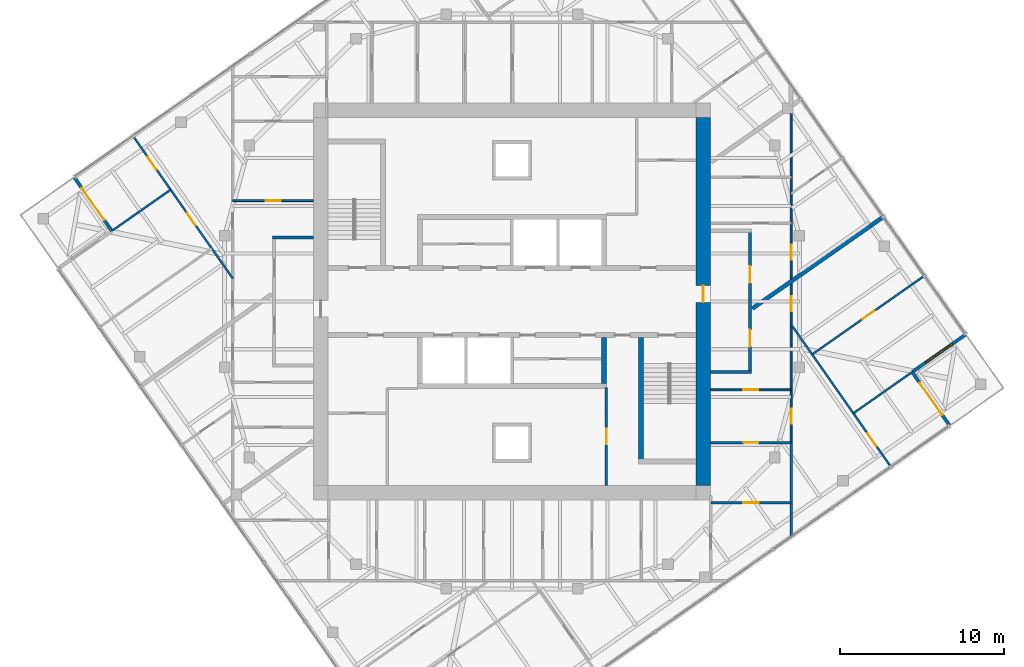
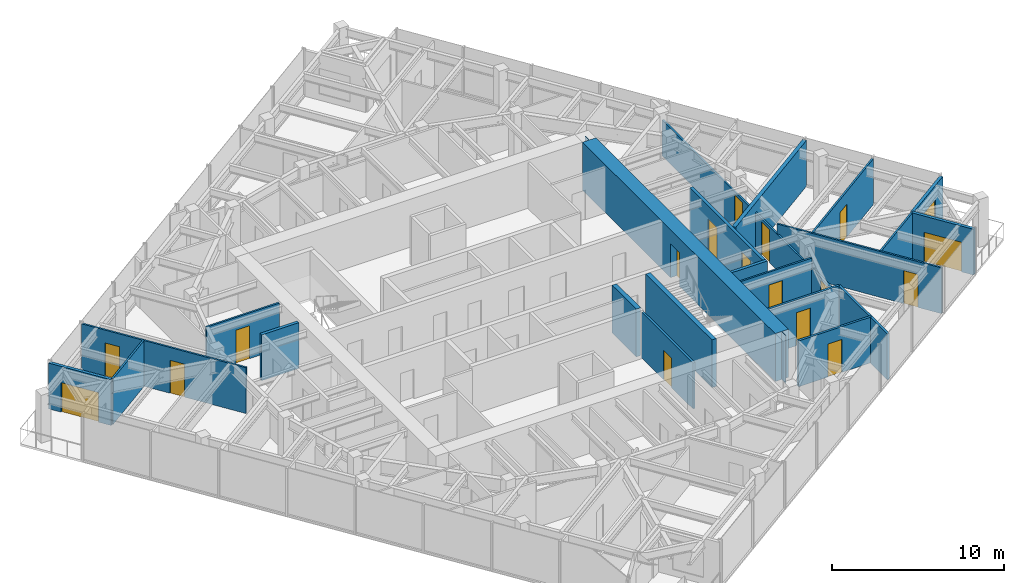
# One storey, part 9 of 12: 22 walls, 17 doors, 1 window, 18 openings.
"""IFC4 building model written with IfcOpenShell, lengths in metres."""

from ifc_helpers import new_model, si_unit, direction, frame, frame_2d, origin, place, context, subcontext, project, spatial, polyline, rectangle, outline, extrude, material, layer, layer_set, type_object, element, fill, save


model = new_model("IFC4")

# Units and contexts
model_context = context("Model", 3, precision=1e-05, world=origin(), true_north=direction((0.0, 1.0)))
body_context = subcontext(model_context, "Body", "Model", "MODEL_VIEW")
ifc_project = project(units=[si_unit("LENGTHUNIT", "METRE"), si_unit("AREAUNIT", "SQUARE_METRE"), si_unit("VOLUMEUNIT", "CUBIC_METRE"), si_unit("PLANEANGLEUNIT", "RADIAN"), si_unit("MASSUNIT", "GRAM", prefix="KILO")], contexts=[model_context])

# Site, building, storey
site_placement = place(None, origin())
site = spatial("IfcSite", under=ifc_project, at=site_placement, CompositionType="ELEMENT")
building_placement = place(site_placement, origin())
building = spatial("IfcBuilding", under=site, at=building_placement, Name="Torsade Residences", CompositionType="ELEMENT")
storey_placement = place(building_placement, frame((0.0, 0.0, 247.199951171875)))
storey = spatial("IfcBuildingStorey", under=building, at=storey_placement, Name="L68", CompositionType="ELEMENT", Elevation=247.199951171875)

# Walls
ifc_material_1 = material(Name="Concrete 80 MPa", Category="concrete")
ifc_layer_1 = layer(ifc_material_1, 0.300048828125)
ifc_layer_set_1 = layer_set([ifc_layer_1], Name="Concrete 80 MPa")
wall_type_1 = type_object("IfcWallType", Name="CORE INTERNAL WALL 300", PredefinedType="SHEAR", material=ifc_layer_set_1)
wall_1_placement = place(storey_placement, frame((45.60009765625, 27.800048828125, 0.0), z_axis=(0.0, 0.0, 1.0), x_axis=(0.0, -1.0, 0.0)))
element("IfcWall", 1, at=wall_1_placement, inside=storey, type_object=wall_type_1, Name="Core wall DS0 L68", PredefinedType="SHEAR", context=body_context, shape_type="SweptSolid", body=[
    extrude(rectangle(XDim=2.800048828125, YDim=0.300048828125, at=frame_2d((1.39990234375, 0.0))), origin(), (0.0, 0.0, 1.0), 3.400146484375),
])
wall_2_placement = place(storey_placement, frame((47.85009765625, 27.800048828125, 0.0), z_axis=(0.0, 0.0, 1.0), x_axis=(0.0, -1.0, 0.0)))
element("IfcWall", 2, at=wall_2_placement, inside=storey, type_object=wall_type_1, Name="Core wall ST2W L68", PredefinedType="SHEAR", context=body_context, shape_type="SweptSolid", body=[
    extrude(rectangle(XDim=7.699951171875, YDim=0.300048828125, at=frame_2d((3.85009765625, 0.0))), origin(), (0.0, 0.0, 1.0), 3.400146484375),
])

# Wall, opening, door
ifc_material_2 = material(Name="Concrete 80 MPa", Category="concrete")
ifc_layer_2 = layer(ifc_material_2, 0.89990234375)
ifc_layer_set_2 = layer_set([ifc_layer_2], Name="Concrete 80 MPa")
wall_type_2 = type_object("IfcWallType", Name="CORE WALL 900", PredefinedType="SHEAR", material=ifc_layer_set_2)
wall_3_placement = place(storey_placement, frame((51.64990234375, 18.800048828125, 0.0), z_axis=(0.0, 0.0, 1.0), x_axis=(0.0, 1.0, 0.0)))
wall_3 = element("IfcWall", 3, at=wall_3_placement, inside=storey, type_object=wall_type_2, Name="Core wall E L68", PredefinedType="SHEAR", context=body_context, shape_type="SweptSolid", body=[
    extrude(outline(polyline([(0.0, -0.449951171875), (22.39990234375, -0.449951171875), (22.39990234375, -0.02490234375), (22.849853515625, -0.02490234375), (22.849853515625, 0.02490234375), (22.39990234375, 0.02490234375), (22.39990234375, 0.449951171875), (0.0, 0.449951171875), (0.0, 0.02490234375), (-0.449951171875, 0.02490234375), (-0.449951171875, -0.02490234375), (0.0, -0.02490234375), (0.0, -0.449951171875)])), origin(), (0.0, 0.0, 1.0), 3.400146484375),
])
opening_1_placement = place(wall_3_placement, frame((11.139892578125, 0.0, 0.0)))
opening_1 = element("IfcOpeningElement", 4, at=opening_1_placement, cuts=wall_3, Name="Opening D04", PredefinedType="OPENING", context=body_context, shape_type="SweptSolid", body=[
    extrude(rectangle(XDim=1.02001953125, YDim=2.39990234375, at=frame_2d((0.510009765625, 1.199951171875))), frame((0.0, 0.4599609375, 0.0), z_axis=(0.0, -1.0, 0.0), x_axis=(1.0, 0.0, 0.0)), (0.0, 0.0, 1.0), 0.919921875),
])
ifc_material_3 = material(Name="Steel-framed fire door", Category="steel")
door_type_1 = type_object("IfcDoorType", Name="LOBBY SMOKE DOOR 1020x2400", OperationType="NOTDEFINED", PredefinedType="DOOR", material=ifc_material_3)
door_1_placement = place(opening_1_placement, origin())
door_1 = element("IfcDoor", 5, at=door_1_placement, inside=storey, type_object=door_type_1, Name="Lift lobby door E L68", OperationType="SINGLE_SWING_LEFT", OverallHeight=2.39990234375, OverallWidth=1.02001953125, PredefinedType="DOOR", context=body_context, shape_type="SweptSolid", body=[
    extrude(rectangle(XDim=1.02001953125, YDim=2.39990234375, at=frame_2d((0.510009765625, 1.199951171875))), frame((0.0, 0.02490234375, 0.0), z_axis=(0.0, -1.0, 0.0), x_axis=(1.0, 0.0, 0.0)), (0.0, 0.0, 1.0), 0.050048828125),
])
fill(opening_1, door_1)

# Wall, openings, doors
ifc_material_4 = material(Name="Plasterboard on steel stud", Category="steel")
ifc_layer_3 = layer(ifc_material_4, 0.199951171875)
ifc_layer_set_3 = layer_set([ifc_layer_3], Name="Plasterboard on steel stud")
wall_type_3 = type_object("IfcWallType", Name="CORRIDOR WALL 200", PredefinedType="PARTITIONING", material=ifc_layer_set_3)
wall_4_placement = place(storey_placement, frame((54.5, 25.699951171875, 0.0), z_axis=(0.0, 0.0, 1.0), x_axis=(0.0, 1.0, 0.0)))
wall_4 = element("IfcWall", 6, at=wall_4_placement, inside=storey, type_object=wall_type_3, Name="Corridor wall L68", PredefinedType="PARTITIONING", context=body_context, shape_type="SweptSolid", body=[
    extrude(rectangle(XDim=8.60009765625, YDim=0.199951171875, at=frame_2d((4.300048828125, 0.0))), origin(), (0.0, 0.0, 1.0), 3.25),
])
opening_2_placement = place(wall_4_placement, frame((5.43798828125, 0.0, 0.0)))
opening_2 = element("IfcOpeningElement", 7, at=opening_2_placement, cuts=wall_4, Name="Opening D01", PredefinedType="OPENING", context=body_context, shape_type="SweptSolid", body=[
    extrude(rectangle(XDim=1.02001953125, YDim=2.340087890625, at=frame_2d((0.510009765625, 1.169921875))), frame((0.0, 0.10986328125, 0.0), z_axis=(0.0, -1.0, 0.0), x_axis=(1.0, 0.0, 0.0)), (0.0, 0.0, 1.0), 0.219970703125),
])
opening_3_placement = place(wall_4_placement, frame((1.543212890625, 0.0, 0.0)))
opening_3 = element("IfcOpeningElement", 8, at=opening_3_placement, cuts=wall_4, Name="Opening D01", PredefinedType="OPENING", context=body_context, shape_type="SweptSolid", body=[
    extrude(rectangle(XDim=1.02001953125, YDim=2.340087890625, at=frame_2d((0.510009765625, 1.169921875))), frame((0.0, 0.10986328125, 0.0), z_axis=(0.0, -1.0, 0.0), x_axis=(1.0, 0.0, 0.0)), (0.0, 0.0, 1.0), 0.219970703125),
])
ifc_material_5 = material(Name="Solid-core timber fire door", Category="wood")
door_type_2 = type_object("IfcDoorType", Name="APARTMENT ENTRY DOOR 1020x2340", OperationType="NOTDEFINED", PredefinedType="DOOR", material=ifc_material_5)
door_2_placement = place(opening_2_placement, origin())
door_2 = element("IfcDoor", 9, at=door_2_placement, inside=storey, type_object=door_type_2, Name="Door Residential corridor to Kitchen and dining", OperationType="SINGLE_SWING_RIGHT", OverallHeight=2.340087890625, OverallWidth=1.02001953125, PredefinedType="DOOR", context=body_context, shape_type="SweptSolid", body=[
    extrude(rectangle(XDim=1.02001953125, YDim=2.340087890625, at=frame_2d((0.510009765625, 1.169921875))), frame((0.0, 0.02490234375, 0.0), z_axis=(0.0, -1.0, 0.0), x_axis=(1.0, 0.0, 0.0)), (0.0, 0.0, 1.0), 0.050048828125),
])
fill(opening_2, door_2)
door_3_placement = place(opening_3_placement, origin())
door_3 = element("IfcDoor", 10, at=door_3_placement, inside=storey, type_object=door_type_2, Name="Door Residential corridor to Kitchen and dining", OperationType="SINGLE_SWING_LEFT", OverallHeight=2.340087890625, OverallWidth=1.02001953125, PredefinedType="DOOR", context=body_context, shape_type="SweptSolid", body=[
    extrude(rectangle(XDim=1.02001953125, YDim=2.340087890625, at=frame_2d((0.510009765625, 1.169921875))), frame((0.0, 0.02490234375, 0.0), z_axis=(0.0, -1.0, 0.0), x_axis=(1.0, 0.0, 0.0)), (0.0, 0.0, 1.0), 0.050048828125),
])
fill(opening_3, door_3)

# Walls
for number, where, z_axis, x_axis, name in (
    (11, (52.10009765625, 25.699951171875, 0.0), (0.0, 0.0, 1.0), (1.0, 0.0, 0.0), "Corridor wall L68"),
    (12, (27.89990234375, 33.89990234375, 0.0), (0.0, 0.0, 1.0), (-1.0, 0.0, 0.0), "Corridor wall L68"),
):
    element("IfcWall", number, at=place(storey_placement, frame(where, z_axis=z_axis, x_axis=x_axis)), inside=storey, type_object=wall_type_3, Name=name, PredefinedType="PARTITIONING", context=body_context, shape_type="SweptSolid", body=[
        extrude(rectangle(XDim=2.5, YDim=0.199951171875, at=frame_2d((1.25, 0.0))), origin(), (0.0, 0.0, 1.0), 3.25),
    ])

# Wall, opening, door
ifc_material_6 = material(Name="Plasterboard on steel stud", Category="steel")
ifc_layer_4 = layer(ifc_material_6, 0.1201171875)
ifc_layer_set_4 = layer_set([ifc_layer_4], Name="Plasterboard on steel stud")
wall_type_4 = type_object("IfcWallType", Name="PARTITION 120", PredefinedType="PARTITIONING", material=ifc_layer_set_4)
wall_5_placement = place(storey_placement, frame((57.0, 24.617919921875, 0.0), z_axis=(0.0, 0.0, 1.0), x_axis=(-1.0, 0.0, 0.0)))
wall_5 = element("IfcWall", 13, at=wall_5_placement, inside=storey, type_object=wall_type_4, Name="Partition L68", PredefinedType="PARTITIONING", context=body_context, shape_type="SweptSolid", body=[
    extrude(rectangle(XDim=4.89990234375, YDim=0.1201171875, at=frame_2d((2.449951171875, 0.0))), origin(), (0.0, 0.0, 1.0), 3.25),
])
opening_4_placement = place(wall_5_placement, frame((1.989990234375, 0.0, 0.0)))
opening_4 = element("IfcOpeningElement", 14, at=opening_4_placement, cuts=wall_5, Name="Opening D02", PredefinedType="OPENING", context=body_context, shape_type="SweptSolid", body=[
    extrude(rectangle(XDim=0.919921875, YDim=2.340087890625, at=frame_2d((0.4599609375, 1.169921875))), frame((0.0, 0.070068359375, 0.0), z_axis=(0.0, -1.0, 0.0), x_axis=(1.0, 0.0, 0.0)), (0.0, 0.0, 1.0), 0.14013671875),
])
ifc_material_7 = material(Name="Hollow-core timber door", Category="wood")
door_type_3 = type_object("IfcDoorType", Name="INTERNAL DOOR 920x2340", OperationType="NOTDEFINED", PredefinedType="DOOR", material=ifc_material_7)
door_4_placement = place(opening_4_placement, origin())
door_4 = element("IfcDoor", 15, at=door_4_placement, inside=storey, type_object=door_type_3, Name="Door Kitchen and dining to Walk-in robe", OperationType="SINGLE_SWING_LEFT", OverallHeight=2.340087890625, OverallWidth=0.919921875, PredefinedType="DOOR", context=body_context, shape_type="SweptSolid", body=[
    extrude(rectangle(XDim=0.919921875, YDim=2.340087890625, at=frame_2d((0.4599609375, 1.169921875))), frame((0.0, 0.02490234375, 0.0), z_axis=(0.0, -1.0, 0.0), x_axis=(1.0, 0.0, 0.0)), (0.0, 0.0, 1.0), 0.050048828125),
])
fill(opening_4, door_4)

# Wall, openings, doors
wall_6_placement = place(storey_placement, frame((57.0, 41.903564453125, 0.0), z_axis=(0.0, 0.0, 1.0), x_axis=(0.0, -1.0, 0.0)))
wall_6 = element("IfcWall", 16, at=wall_6_placement, inside=storey, type_object=wall_type_4, Name="Partition L68", PredefinedType="PARTITIONING", context=body_context, shape_type="SweptSolid", body=[
    extrude(rectangle(XDim=20.497802734375, YDim=0.1201171875, at=frame_2d((10.2490234375, 0.0))), origin(), (0.0, 0.0, 1.0), 2.550048828125),
])
opening_5_placement = place(wall_6_placement, frame((8.449462890625, 0.0, 0.0)))
opening_5 = element("IfcOpeningElement", 17, at=opening_5_placement, cuts=wall_6, Name="Opening D02", PredefinedType="OPENING", context=body_context, shape_type="SweptSolid", body=[
    extrude(rectangle(XDim=0.919921875, YDim=2.340087890625, at=frame_2d((0.4599609375, 1.169921875))), frame((0.0, 0.070068359375, 0.0), z_axis=(0.0, -1.0, 0.0), x_axis=(1.0, 0.0, 0.0)), (0.0, 0.0, 1.0), 0.14013671875),
])
opening_6_placement = place(wall_6_placement, frame((11.573974609375, 0.0, 0.0)))
opening_6 = element("IfcOpeningElement", 18, at=opening_6_placement, cuts=wall_6, Name="Opening D02", PredefinedType="OPENING", context=body_context, shape_type="SweptSolid", body=[
    extrude(rectangle(XDim=0.919921875, YDim=2.340087890625, at=frame_2d((0.4599609375, 1.169921875))), frame((0.0, 0.070068359375, 0.0), z_axis=(0.0, -1.0, 0.0), x_axis=(1.0, 0.0, 0.0)), (0.0, 0.0, 1.0), 0.14013671875),
])
opening_7_placement = place(wall_6_placement, frame((18.431640625, 0.0, 0.0)))
opening_7 = element("IfcOpeningElement", 19, at=opening_7_placement, cuts=wall_6, Name="Opening D02", PredefinedType="OPENING", context=body_context, shape_type="SweptSolid", body=[
    extrude(rectangle(XDim=0.919921875, YDim=2.340087890625, at=frame_2d((0.4599609375, 1.169921875))), frame((0.0, 0.070068359375, 0.0), z_axis=(0.0, -1.0, 0.0), x_axis=(1.0, 0.0, 0.0)), (0.0, 0.0, 1.0), 0.14013671875),
])
door_5_placement = place(opening_5_placement, origin())
door_5 = element("IfcDoor", 20, at=door_5_placement, inside=storey, type_object=door_type_3, Name="Door Kitchen and dining to Living room", OperationType="SINGLE_SWING_LEFT", OverallHeight=2.340087890625, OverallWidth=0.919921875, PredefinedType="DOOR", context=body_context, shape_type="SweptSolid", body=[
    extrude(rectangle(XDim=0.919921875, YDim=2.340087890625, at=frame_2d((0.4599609375, 1.169921875))), frame((0.0, 0.02490234375, 0.0), z_axis=(0.0, -1.0, 0.0), x_axis=(1.0, 0.0, 0.0)), (0.0, 0.0, 1.0), 0.050048828125),
])
fill(opening_5, door_5)
door_6_placement = place(opening_6_placement, origin())
door_6 = element("IfcDoor", 21, at=door_6_placement, inside=storey, type_object=door_type_3, Name="Door Kitchen and dining to Bedroom 4", OperationType="SINGLE_SWING_LEFT", OverallHeight=2.340087890625, OverallWidth=0.919921875, PredefinedType="DOOR", context=body_context, shape_type="SweptSolid", body=[
    extrude(rectangle(XDim=0.919921875, YDim=2.340087890625, at=frame_2d((0.4599609375, 1.169921875))), frame((0.0, 0.02490234375, 0.0), z_axis=(0.0, -1.0, 0.0), x_axis=(1.0, 0.0, 0.0)), (0.0, 0.0, 1.0), 0.050048828125),
])
fill(opening_6, door_6)
door_7_placement = place(opening_7_placement, origin())
door_7 = element("IfcDoor", 22, at=door_7_placement, inside=storey, type_object=door_type_3, Name="Door Walk-in robe to Bedroom 1", OperationType="SINGLE_SWING_LEFT", OverallHeight=2.340087890625, OverallWidth=0.919921875, PredefinedType="DOOR", context=body_context, shape_type="SweptSolid", body=[
    extrude(rectangle(XDim=0.919921875, YDim=2.340087890625, at=frame_2d((0.4599609375, 1.169921875))), frame((0.0, 0.02490234375, 0.0), z_axis=(0.0, -1.0, 0.0), x_axis=(1.0, 0.0, 0.0)), (0.0, 0.0, 1.0), 0.050048828125),
])
fill(opening_7, door_7)

# Wall, opening, door
wall_7_placement = place(storey_placement, frame((57.0, 28.604248046875, 0.0), z_axis=(0.0, 0.0, 1.0), x_axis=(0.573575545802, -0.819152667857, 0.0)))
wall_7 = element("IfcWall", 23, at=wall_7_placement, inside=storey, type_object=wall_type_4, Name="Partition L68", PredefinedType="PARTITIONING", context=body_context, shape_type="SweptSolid", body=[
    extrude(rectangle(XDim=10.56591796875, YDim=0.1201171875, at=frame_2d((5.282958984375, 0.0))), origin(), (0.0, 0.0, 1.0), 3.25),
])
opening_8_placement = place(wall_7_placement, frame((8.120849609375, 0.0, 0.0)))
opening_8 = element("IfcOpeningElement", 24, at=opening_8_placement, cuts=wall_7, Name="Opening D02", PredefinedType="OPENING", context=body_context, shape_type="SweptSolid", body=[
    extrude(rectangle(XDim=0.919921875, YDim=2.340087890625, at=frame_2d((0.4599609375, 1.169921875))), frame((0.0, 0.070068359375, 0.0), z_axis=(0.0, -1.0, 0.0), x_axis=(1.0, 0.0, 0.0)), (0.0, 0.0, 1.0), 0.14013671875),
])
door_8_placement = place(opening_8_placement, origin())
door_8 = element("IfcDoor", 25, at=door_8_placement, inside=storey, type_object=door_type_3, Name="Door Bedroom 1 to Media room", OperationType="SINGLE_SWING_LEFT", OverallHeight=2.340087890625, OverallWidth=0.919921875, PredefinedType="DOOR", context=body_context, shape_type="SweptSolid", body=[
    extrude(rectangle(XDim=0.919921875, YDim=2.340087890625, at=frame_2d((0.4599609375, 1.169921875))), frame((0.0, 0.02490234375, 0.0), z_axis=(0.0, -1.0, 0.0), x_axis=(1.0, 0.0, 0.0)), (0.0, 0.0, 1.0), 0.050048828125),
])
fill(opening_8, door_8)

wall_8_placement = place(storey_placement, frame((58.279541015625, 26.77685546875, 0.0), z_axis=(0.0, 0.0, 1.0), x_axis=(0.819152099525, 0.573576357466, 0.0)))
wall_8 = element("IfcWall", 26, at=wall_8_placement, inside=storey, type_object=wall_type_4, Name="Partition L68", PredefinedType="PARTITIONING", context=body_context, shape_type="SweptSolid", body=[
    extrude(rectangle(XDim=8.3349609375, YDim=0.1201171875, at=frame_2d((4.16748046875, 0.0))), origin(), (0.0, 0.0, 1.0), 3.25),
])
opening_9_placement = place(wall_8_placement, frame((3.7275390625, 0.0, 0.0)))
opening_9 = element("IfcOpeningElement", 27, at=opening_9_placement, cuts=wall_8, Name="Opening D02", PredefinedType="OPENING", context=body_context, shape_type="SweptSolid", body=[
    extrude(rectangle(XDim=0.919921875, YDim=2.340087890625, at=frame_2d((0.4599609375, 1.169921875))), frame((0.0, 0.070068359375, 0.0), z_axis=(0.0, -1.0, 0.0), x_axis=(1.0, 0.0, 0.0)), (0.0, 0.0, 1.0), 0.14013671875),
])
door_9_placement = place(opening_9_placement, origin())
door_9 = element("IfcDoor", 28, at=door_9_placement, inside=storey, type_object=door_type_3, Name="Door Bedroom 4 to Bedroom 3", OperationType="SINGLE_SWING_LEFT", OverallHeight=2.340087890625, OverallWidth=0.919921875, PredefinedType="DOOR", context=body_context, shape_type="SweptSolid", body=[
    extrude(rectangle(XDim=0.919921875, YDim=2.340087890625, at=frame_2d((0.4599609375, 1.169921875))), frame((0.0, 0.02490234375, 0.0), z_axis=(0.0, -1.0, 0.0), x_axis=(1.0, 0.0, 0.0)), (0.0, 0.0, 1.0), 0.050048828125),
])
fill(opening_9, door_9)

# Wall
wall_9_placement = place(storey_placement, frame((64.340087890625, 25.679443359375, 0.0), z_axis=(0.0, 0.0, 1.0), x_axis=(-0.819165768115, -0.573556836197, 0.0)))
element("IfcWall", 29, at=wall_9_placement, inside=storey, type_object=wall_type_4, Name="Partition L68", PredefinedType="PARTITIONING", context=body_context, shape_type="SweptSolid", body=[
    extrude(rectangle(XDim=4.3349609375, YDim=0.1201171875, at=frame_2d((2.16748046875, 0.0))), origin(), (0.0, 0.0, 1.0), 3.25),
])

# Wall, opening, door
wall_10_placement = place(storey_placement, frame((23.0, 36.14453125, 0.0), z_axis=(0.0, 0.0, 1.0), x_axis=(1.0, 0.0, 0.0)))
wall_10 = element("IfcWall", 30, at=wall_10_placement, inside=storey, type_object=wall_type_4, Name="Partition L68", PredefinedType="PARTITIONING", context=body_context, shape_type="SweptSolid", body=[
    extrude(rectangle(XDim=4.89990234375, YDim=0.1201171875, at=frame_2d((2.449951171875, 0.0))), origin(), (0.0, 0.0, 1.0), 3.25),
])
opening_10_placement = place(wall_10_placement, frame((1.989990234375, 0.0, 0.0)))
opening_10 = element("IfcOpeningElement", 31, at=opening_10_placement, cuts=wall_10, Name="Opening D02", PredefinedType="OPENING", context=body_context, shape_type="SweptSolid", body=[
    extrude(rectangle(XDim=0.919921875, YDim=2.340087890625, at=frame_2d((0.4599609375, 1.169921875))), frame((0.0, 0.070068359375, 0.0), z_axis=(0.0, -1.0, 0.0), x_axis=(1.0, 0.0, 0.0)), (0.0, 0.0, 1.0), 0.14013671875),
])
door_10_placement = place(opening_10_placement, origin())
door_10 = element("IfcDoor", 32, at=door_10_placement, inside=storey, type_object=door_type_3, Name="Door Kitchen and dining to Scullery", OperationType="SINGLE_SWING_LEFT", OverallHeight=2.340087890625, OverallWidth=0.919921875, PredefinedType="DOOR", context=body_context, shape_type="SweptSolid", body=[
    extrude(rectangle(XDim=0.919921875, YDim=2.340087890625, at=frame_2d((0.4599609375, 1.169921875))), frame((0.0, 0.02490234375, 0.0), z_axis=(0.0, -1.0, 0.0), x_axis=(1.0, 0.0, 0.0)), (0.0, 0.0, 1.0), 0.050048828125),
])
fill(opening_10, door_10)

# Wall, openings, doors
wall_11_placement = place(storey_placement, frame((23.0, 31.395751953125, 0.0), z_axis=(0.0, 0.0, 1.0), x_axis=(-0.573575545802, 0.819152667857, 0.0)))
wall_11 = element("IfcWall", 33, at=wall_11_placement, inside=storey, type_object=wall_type_4, Name="Partition L68", PredefinedType="PARTITIONING", context=body_context, shape_type="SweptSolid", body=[
    extrude(rectangle(XDim=10.56591796875, YDim=0.1201171875, at=frame_2d((5.282958984375, 0.0))), origin(), (0.0, 0.0, 1.0), 3.25),
])
opening_11_placement = place(wall_11_placement, frame((3.958251953125, 0.0, 0.0)))
opening_11 = element("IfcOpeningElement", 34, at=opening_11_placement, cuts=wall_11, Name="Opening D02", PredefinedType="OPENING", context=body_context, shape_type="SweptSolid", body=[
    extrude(rectangle(XDim=0.919921875, YDim=2.340087890625, at=frame_2d((0.4599609375, 1.169921875))), frame((0.0, 0.070068359375, 0.0), z_axis=(0.0, -1.0, 0.0), x_axis=(1.0, 0.0, 0.0)), (0.0, 0.0, 1.0), 0.14013671875),
])
opening_12_placement = place(wall_11_placement, frame((8.120849609375, 0.0, 0.0)))
opening_12 = element("IfcOpeningElement", 35, at=opening_12_placement, cuts=wall_11, Name="Opening D02", PredefinedType="OPENING", context=body_context, shape_type="SweptSolid", body=[
    extrude(rectangle(XDim=0.919921875, YDim=2.340087890625, at=frame_2d((0.4599609375, 1.169921875))), frame((0.0, 0.070068359375, 0.0), z_axis=(0.0, -1.0, 0.0), x_axis=(1.0, 0.0, 0.0)), (0.0, 0.0, 1.0), 0.14013671875),
])
door_11_placement = place(opening_11_placement, origin())
door_11 = element("IfcDoor", 36, at=door_11_placement, inside=storey, type_object=door_type_3, Name="Door Bedroom 1 to Bedroom 2", OperationType="SINGLE_SWING_RIGHT", OverallHeight=2.340087890625, OverallWidth=0.919921875, PredefinedType="DOOR", context=body_context, shape_type="SweptSolid", body=[
    extrude(rectangle(XDim=0.919921875, YDim=2.340087890625, at=frame_2d((0.4599609375, 1.169921875))), frame((0.0, 0.02490234375, 0.0), z_axis=(0.0, -1.0, 0.0), x_axis=(1.0, 0.0, 0.0)), (0.0, 0.0, 1.0), 0.050048828125),
])
fill(opening_11, door_11)
door_12_placement = place(opening_12_placement, origin())
door_12 = element("IfcDoor", 37, at=door_12_placement, inside=storey, type_object=door_type_3, Name="Door Bedroom 1 to Media room", OperationType="SINGLE_SWING_LEFT", OverallHeight=2.340087890625, OverallWidth=0.919921875, PredefinedType="DOOR", context=body_context, shape_type="SweptSolid", body=[
    extrude(rectangle(XDim=0.919921875, YDim=2.340087890625, at=frame_2d((0.4599609375, 1.169921875))), frame((0.0, 0.02490234375, 0.0), z_axis=(0.0, -1.0, 0.0), x_axis=(1.0, 0.0, 0.0)), (0.0, 0.0, 1.0), 0.050048828125),
])
fill(opening_12, door_12)

# Walls
wall_12_placement = place(storey_placement, frame((15.659912109375, 34.320556640625, 0.0), z_axis=(0.0, 0.0, 1.0), x_axis=(0.819165768115, 0.573556836197, 0.0)))
element("IfcWall", 38, at=wall_12_placement, inside=storey, type_object=wall_type_4, Name="Partition L68", PredefinedType="PARTITIONING", context=body_context, shape_type="SweptSolid", body=[
    extrude(rectangle(XDim=4.3349609375, YDim=0.1201171875, at=frame_2d((2.16748046875, 0.0))), origin(), (0.0, 0.0, 1.0), 3.25),
])
ifc_material_8 = material(Name="Masonry-lined stud party wall", Category="masonry")
ifc_layer_5 = layer(ifc_material_8, 0.25)
ifc_layer_set_5 = layer_set([ifc_layer_5], Name="Masonry-lined stud party wall")
wall_type_5 = type_object("IfcWallType", Name="PARTY WALL 250", PredefinedType="PARTITIONING", material=ifc_layer_set_5)
wall_13_placement = place(storey_placement, frame((62.630615234375, 35.164306640625, 0.0), z_axis=(0.0, 0.0, 1.0), x_axis=(-0.81915902312, -0.573566469418, 0.0)))
element("IfcWall", 39, at=wall_13_placement, inside=storey, type_object=wall_type_5, Name="Party wall L68", PredefinedType="PARTITIONING", context=body_context, shape_type="SweptSolid", body=[
    extrude(rectangle(XDim=9.755859375, YDim=0.25, at=frame_2d((4.8779296875, 0.0))), origin(), (0.0, 0.0, 1.0), 3.25),
])

# Wall, opening, door
ifc_material_9 = material(Name="Reinforced blockwork", Category="masonry")
ifc_layer_6 = layer(ifc_material_9, 0.14990234375)
ifc_layer_set_6 = layer_set([ifc_layer_6], Name="Reinforced blockwork")
wall_type_6 = type_object("IfcWallType", Name="SERVICE ROOM WALL 150", PredefinedType="SOLIDWALL", material=ifc_layer_set_6)
wall_14_placement = place(storey_placement, frame((45.75, 18.800048828125, 0.0), z_axis=(0.0, 0.0, 1.0), x_axis=(0.0, 1.0, 0.0)))
wall_14 = element("IfcWall", 40, at=wall_14_placement, inside=storey, type_object=wall_type_6, Name="Service room wall L68", PredefinedType="SOLIDWALL", context=body_context, shape_type="SweptSolid", body=[
    extrude(rectangle(XDim=5.949951171875, YDim=0.14990234375, at=frame_2d((2.97509765625, 0.0))), origin(), (0.0, 0.0, 1.0), 3.25),
])
opening_13_placement = place(wall_14_placement, frame((2.514892578125, 0.0, 0.0)))
opening_13 = element("IfcOpeningElement", 41, at=opening_13_placement, cuts=wall_14, Name="Opening D06", PredefinedType="OPENING", context=body_context, shape_type="SweptSolid", body=[
    extrude(rectangle(XDim=0.919921875, YDim=2.10009765625, at=frame_2d((0.4599609375, 1.050048828125))), frame((0.0, 0.0849609375, 0.0), z_axis=(0.0, -1.0, 0.0), x_axis=(1.0, 0.0, 0.0)), (0.0, 0.0, 1.0), 0.169921875),
])
ifc_material_10 = material(Name="Steel-framed fire door", Category="steel")
door_type_4 = type_object("IfcDoorType", Name="FIRE DOOR 920", OperationType="NOTDEFINED", PredefinedType="DOOR", material=ifc_material_10)
door_13_placement = place(opening_13_placement, origin())
door_13 = element("IfcDoor", 42, at=door_13_placement, inside=storey, type_object=door_type_4, Name="Door Communications equipment store to Communications riser room", OperationType="SINGLE_SWING_LEFT", OverallHeight=2.10009765625, OverallWidth=0.919921875, PredefinedType="DOOR", context=body_context, shape_type="SweptSolid", body=[
    extrude(rectangle(XDim=0.919921875, YDim=2.10009765625, at=frame_2d((0.4599609375, 1.050048828125))), frame((0.0, 0.02490234375, 0.0), z_axis=(0.0, -1.0, 0.0), x_axis=(1.0, 0.0, 0.0)), (0.0, 0.0, 1.0), 0.050048828125),
])
fill(opening_13, door_13)

wall_15_placement = place(storey_placement, frame((52.10888671875, 17.743408203125, 0.0), z_axis=(0.0, 0.0, 1.0), x_axis=(1.0, 0.0, 0.0)))
wall_15 = element("IfcWall", 43, at=wall_15_placement, inside=storey, type_object=wall_type_6, Name="Service room wall L68", PredefinedType="SOLIDWALL", context=body_context, shape_type="SweptSolid", body=[
    extrude(rectangle(XDim=4.89111328125, YDim=0.14990234375, at=frame_2d((2.445556640625, 0.0))), origin(), (0.0, 0.0, 1.0), 3.25),
])
opening_14_placement = place(wall_15_placement, frame((1.985595703125, 0.0, 0.0)))
opening_14 = element("IfcOpeningElement", 44, at=opening_14_placement, cuts=wall_15, Name="Opening D02", PredefinedType="OPENING", context=body_context, shape_type="SweptSolid", body=[
    extrude(rectangle(XDim=0.919921875, YDim=2.340087890625, at=frame_2d((0.4599609375, 1.169921875))), frame((0.0, 0.0849609375, 0.0), z_axis=(0.0, -1.0, 0.0), x_axis=(1.0, 0.0, 0.0)), (0.0, 0.0, 1.0), 0.169921875),
])
door_14_placement = place(opening_14_placement, origin())
door_14 = element("IfcDoor", 45, at=door_14_placement, inside=storey, type_object=door_type_3, Name="Door Store to Linen store 3", OperationType="SINGLE_SWING_RIGHT", OverallHeight=2.340087890625, OverallWidth=0.919921875, PredefinedType="DOOR", context=body_context, shape_type="SweptSolid", body=[
    extrude(rectangle(XDim=0.919921875, YDim=2.340087890625, at=frame_2d((0.4599609375, 1.169921875))), frame((0.0, 0.02490234375, 0.0), z_axis=(0.0, -1.0, 0.0), x_axis=(1.0, 0.0, 0.0)), (0.0, 0.0, 1.0), 0.050048828125),
])
fill(opening_14, door_14)

# Wall
wall_16_placement = place(storey_placement, frame((57.0, 21.40576171875, 0.0), z_axis=(0.0, 0.0, 1.0), x_axis=(0.0, -1.0, 0.0)))
element("IfcWall", 46, at=wall_16_placement, inside=storey, type_object=wall_type_6, Name="Service room wall L68", PredefinedType="SOLIDWALL", context=body_context, shape_type="SweptSolid", body=[
    extrude(rectangle(XDim=5.699951171875, YDim=0.14990234375, at=frame_2d((2.85009765625, 0.0))), origin(), (0.0, 0.0, 1.0), 3.25),
])

# Wall, opening, door
wall_17_placement = place(storey_placement, frame((57.0, 21.40576171875, 0.0), z_axis=(0.0, 0.0, 1.0), x_axis=(-1.0, 0.0, 0.0)))
wall_17 = element("IfcWall", 47, at=wall_17_placement, inside=storey, type_object=wall_type_6, Name="Service room wall L68", PredefinedType="SOLIDWALL", context=body_context, shape_type="SweptSolid", body=[
    extrude(rectangle(XDim=4.89990234375, YDim=0.14990234375, at=frame_2d((2.449951171875, 0.0))), origin(), (0.0, 0.0, 1.0), 3.25),
])
opening_15_placement = place(wall_17_placement, frame((1.989990234375, 0.0, 0.0)))
opening_15 = element("IfcOpeningElement", 48, at=opening_15_placement, cuts=wall_17, Name="Opening D02", PredefinedType="OPENING", context=body_context, shape_type="SweptSolid", body=[
    extrude(rectangle(XDim=0.919921875, YDim=2.340087890625, at=frame_2d((0.4599609375, 1.169921875))), frame((0.0, 0.0849609375, 0.0), z_axis=(0.0, -1.0, 0.0), x_axis=(1.0, 0.0, 0.0)), (0.0, 0.0, 1.0), 0.169921875),
])
door_15_placement = place(opening_15_placement, origin())
door_15 = element("IfcDoor", 49, at=door_15_placement, inside=storey, type_object=door_type_3, Name="Door Walk-in robe to Store", OperationType="SINGLE_SWING_LEFT", OverallHeight=2.340087890625, OverallWidth=0.919921875, PredefinedType="DOOR", context=body_context, shape_type="SweptSolid", body=[
    extrude(rectangle(XDim=0.919921875, YDim=2.340087890625, at=frame_2d((0.4599609375, 1.169921875))), frame((0.0, 0.02490234375, 0.0), z_axis=(0.0, -1.0, 0.0), x_axis=(1.0, 0.0, 0.0)), (0.0, 0.0, 1.0), 0.050048828125),
])
fill(opening_15, door_15)

ifc_material_11 = material(Name="Stone-faced precast concrete 40 MPa panel", Category="masonry")
ifc_layer_7 = layer(ifc_material_11, 0.199951171875)
ifc_layer_set_7 = layer_set([ifc_layer_7], Name="Stone-faced precast concrete 40 MPa panel")
wall_type_7 = type_object("IfcWallType", Name="TERRACE WALL 200", PredefinedType="SOLIDWALL", material=ifc_layer_set_7)
wall_18_placement = place(storey_placement, frame((66.6669921875, 22.42578125, 0.0), z_axis=(0.0, 0.0, 1.0), x_axis=(-0.573556557423, 0.819165963305, 0.0)))
wall_18 = element("IfcWall", 50, at=wall_18_placement, inside=storey, type_object=wall_type_7, Name="Terrace wall L68 2", PredefinedType="SOLIDWALL", context=body_context, shape_type="SweptSolid", body=[
    extrude(rectangle(XDim=4.0, YDim=0.199951171875, at=frame_2d((2.0, 0.0))), origin(), (0.0, 0.0, 1.0), 3.25),
])
opening_16_placement = place(wall_18_placement, frame((0.800048828125, 0.0, 0.0)))
opening_16 = element("IfcOpeningElement", 51, at=opening_16_placement, cuts=wall_18, Name="Opening D10A", PredefinedType="OPENING", context=body_context, shape_type="SweptSolid", body=[
    extrude(rectangle(XDim=2.39990234375, YDim=2.10009765625, at=frame_2d((1.199951171875, 1.050048828125))), frame((0.0, 0.10986328125, 0.0), z_axis=(0.0, -1.0, 0.0), x_axis=(1.0, 0.0, 0.0)), (0.0, 0.0, 1.0), 0.219970703125),
])
ifc_material_12 = material(Name="Aluminium-framed glass door", Category="aluminium")
door_type_5 = type_object("IfcDoorType", Name="TERRACE SLIDING DOOR 2400x2100", OperationType="SLIDING_TO_LEFT", PredefinedType="DOOR", material=ifc_material_12)
door_16_placement = place(opening_16_placement, origin())
door_16 = element("IfcDoor", 52, at=door_16_placement, inside=storey, type_object=door_type_5, Name="Terrace door L68 2", OperationType="SLIDING_TO_LEFT", OverallHeight=2.10009765625, OverallWidth=2.39990234375, PredefinedType="DOOR", context=body_context, shape_type="SweptSolid", body=[
    extrude(rectangle(XDim=2.39990234375, YDim=2.10009765625, at=frame_2d((1.199951171875, 1.050048828125))), frame((0.0, 0.02490234375, 0.0), z_axis=(0.0, -1.0, 0.0), x_axis=(1.0, 0.0, 0.0)), (0.0, 0.0, 1.0), 0.050048828125),
])
fill(opening_16, door_16)

# Wall, opening, window
wall_19_placement = place(storey_placement, frame((64.372802734375, 25.702392578125, 0.0), z_axis=(0.0, 0.0, 1.0), x_axis=(0.819137286189, 0.573597512525, 0.0)))
wall_19 = element("IfcWall", 53, at=wall_19_placement, inside=storey, type_object=wall_type_7, Name="Terrace wall L68 3", PredefinedType="SOLIDWALL", context=body_context, shape_type="SweptSolid", body=[
    extrude(rectangle(XDim=4.0, YDim=0.199951171875, at=frame_2d((2.0, 0.0))), origin(), (0.0, 0.0, 1.0), 3.25),
])
opening_17_placement = place(wall_19_placement, frame((1.0, 0.0, 0.449951171875)))
opening_17 = element("IfcOpeningElement", 54, at=opening_17_placement, cuts=wall_19, Name="Opening W1B", PredefinedType="OPENING", context=body_context, shape_type="SweptSolid", body=[
    extrude(rectangle(XDim=2.0, YDim=1.800048828125, at=frame_2d((1.0, 0.89990234375))), frame((0.0, 0.10986328125, 0.0), z_axis=(0.0, -1.0, 0.0), x_axis=(1.0, 0.0, 0.0)), (0.0, 0.0, 1.0), 0.219970703125),
])
ifc_material_13 = material(Name="Aluminium-framed glass window", Category="aluminium")
window_type = type_object("IfcWindowType", Name="TERRACE WINDOW 2000x1800", PartitioningType="SINGLE_PANEL", PredefinedType="WINDOW", material=ifc_material_13)
window_placement = place(opening_17_placement, origin())
window = element("IfcWindow", 55, at=window_placement, inside=storey, type_object=window_type, Name="Terrace window L68 3", OverallHeight=1.800048828125, OverallWidth=2.0, PartitioningType="SINGLE_PANEL", PredefinedType="WINDOW", context=body_context, shape_type="SweptSolid", body=[
    extrude(rectangle(XDim=2.0, YDim=1.800048828125, at=frame_2d((1.0, 0.89990234375))), frame((0.0, 0.030029296875, 0.0), z_axis=(0.0, -1.0, 0.0), x_axis=(1.0, 0.0, 0.0)), (0.0, 0.0, 1.0), 0.06005859375),
])
fill(opening_17, window)

# Wall, opening, door
wall_20_placement = place(storey_placement, frame((13.3330078125, 37.57421875, 0.0), z_axis=(0.0, 0.0, 1.0), x_axis=(0.573556557423, -0.819165963305, 0.0)))
wall_20 = element("IfcWall", 56, at=wall_20_placement, inside=storey, type_object=wall_type_7, Name="Terrace wall L68 8", PredefinedType="SOLIDWALL", context=body_context, shape_type="SweptSolid", body=[
    extrude(rectangle(XDim=4.0, YDim=0.199951171875, at=frame_2d((2.0, 0.0))), origin(), (0.0, 0.0, 1.0), 3.25),
])
opening_18_placement = place(wall_20_placement, frame((0.800048828125, 0.0, 0.0)))
opening_18 = element("IfcOpeningElement", 57, at=opening_18_placement, cuts=wall_20, Name="Opening D10A", PredefinedType="OPENING", context=body_context, shape_type="SweptSolid", body=[
    extrude(rectangle(XDim=2.39990234375, YDim=2.10009765625, at=frame_2d((1.199951171875, 1.050048828125))), frame((0.0, 0.10986328125, 0.0), z_axis=(0.0, -1.0, 0.0), x_axis=(1.0, 0.0, 0.0)), (0.0, 0.0, 1.0), 0.219970703125),
])
door_17_placement = place(opening_18_placement, origin())
door_17 = element("IfcDoor", 58, at=door_17_placement, inside=storey, type_object=door_type_5, Name="Terrace door L68 8", OperationType="SLIDING_TO_LEFT", OverallHeight=2.10009765625, OverallWidth=2.39990234375, PredefinedType="DOOR", context=body_context, shape_type="SweptSolid", body=[
    extrude(rectangle(XDim=2.39990234375, YDim=2.10009765625, at=frame_2d((1.199951171875, 1.050048828125))), frame((0.0, 0.02490234375, 0.0), z_axis=(0.0, -1.0, 0.0), x_axis=(1.0, 0.0, 0.0)), (0.0, 0.0, 1.0), 0.050048828125),
])
fill(opening_18, door_17)

save(model, "model.ifc")
